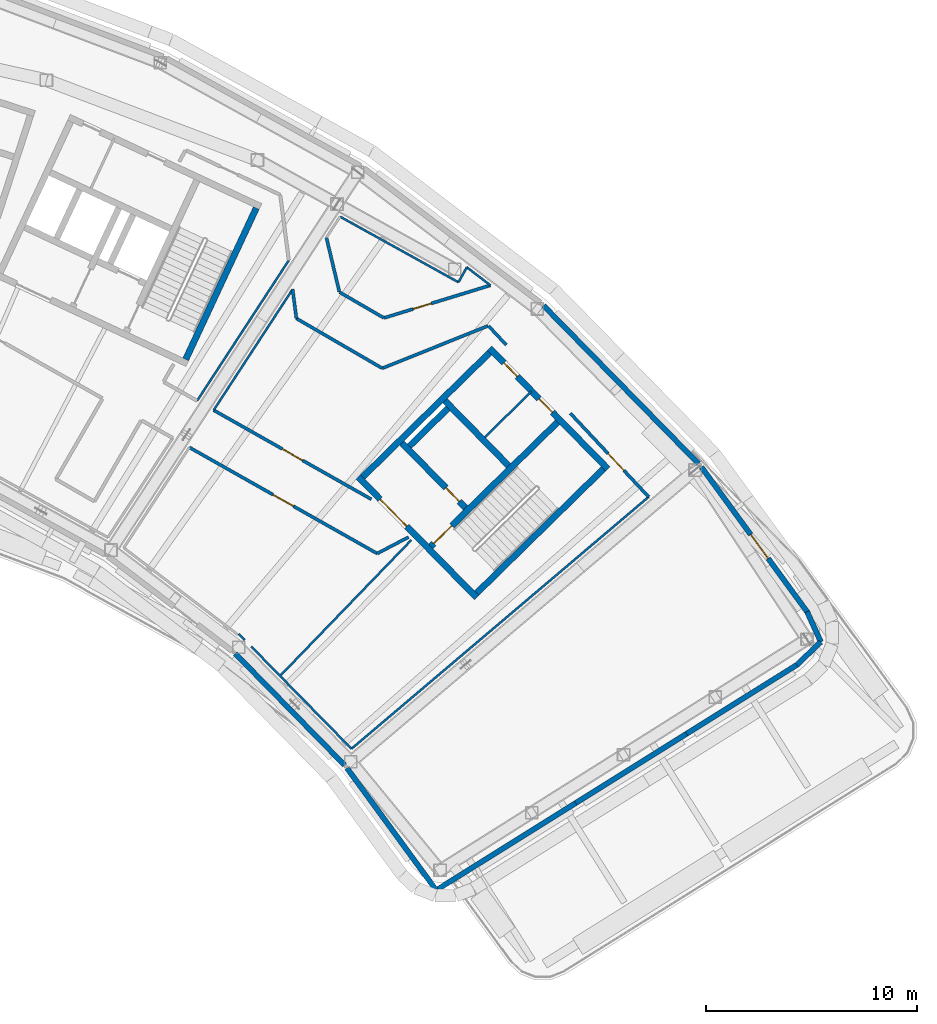
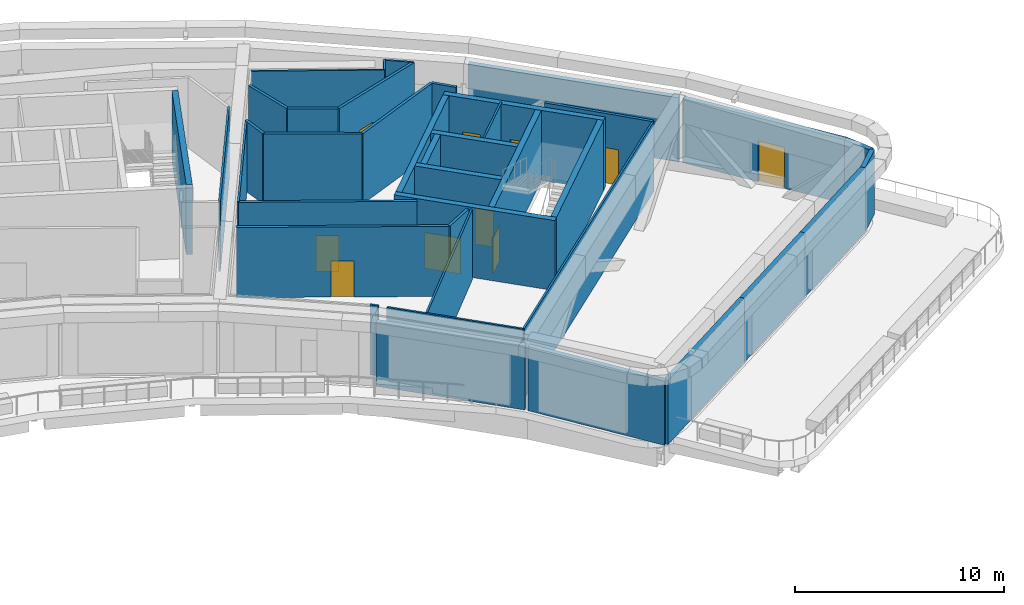
# One storey, part 10 of 24: 39 walls, 10 doors, 10 openings.
"""IFC4 building model written with IfcOpenShell, lengths in metres."""

from ifc_helpers import new_model, si_unit, direction, frame, frame_2d, origin, place, context, subcontext, project, spatial, rectangle, extrude, material, layer, layer_set, type_object, element, fill, save


model = new_model("IFC4")

# Units and contexts
model_context = context("Model", 3, precision=1e-05, world=origin(), true_north=direction((0.0, 1.0)))
body_context = subcontext(model_context, "Body", "Model", "MODEL_VIEW")
ifc_project = project(units=[si_unit("LENGTHUNIT", "METRE"), si_unit("AREAUNIT", "SQUARE_METRE"), si_unit("VOLUMEUNIT", "CUBIC_METRE"), si_unit("PLANEANGLEUNIT", "RADIAN"), si_unit("MASSUNIT", "GRAM", prefix="KILO")], contexts=[model_context])

# Site, building, storey
site_placement = place(None, origin())
site = spatial("IfcSite", under=ifc_project, at=site_placement, CompositionType="ELEMENT")
building_placement = place(site_placement, origin())
building = spatial("IfcBuilding", under=site, at=building_placement, Name="Tuul Gate Civic Tower", CompositionType="ELEMENT")
storey_placement = place(building_placement, frame((0.0, 0.0, 315.199951171875)))
storey = spatial("IfcBuildingStorey", under=building, at=storey_placement, Name="Plant and refuge floor 7", CompositionType="ELEMENT", Elevation=315.199951171875)

# Wall, opening, door
ifc_material_1 = material(Name="Concrete C50/60", Category="concrete")
ifc_layer_1 = layer(ifc_material_1, 0.300048828125)
ifc_layer_set_1 = layer_set([ifc_layer_1], Name="Concrete C50/60")
wall_type_1 = type_object("IfcWallType", Name="Core wall C50/60", PredefinedType="SHEAR", material=ifc_layer_set_1)
wall_1_placement = place(storey_placement, frame((48.22509765625, -18.327880859375, 0.0), z_axis=(0.0, 0.0, 1.0), x_axis=(-0.700021979774, 0.714121297703, 0.0)))
wall_1 = element("IfcWall", 1, at=wall_1_placement, inside=storey, type_object=wall_type_1, Name="Core wall", PredefinedType="SHEAR", context=body_context, shape_type="SweptSolid", body=[
    extrude(rectangle(XDim=8.0, YDim=0.300048828125, at=frame_2d((4.0, 0.0))), origin(), (0.0, 0.0, 1.0), 4.10009765625),
])
opening_1_placement = place(wall_1_placement, frame((4.72509765625, 0.0, 0.0)))
opening_1 = element("IfcOpeningElement", 2, at=opening_1_placement, cuts=wall_1, Name="Opening LB-E1-LOBBY-1", PredefinedType="OPENING", context=body_context, shape_type="SweptSolid", body=[
    extrude(rectangle(XDim=1.800048828125, YDim=2.10009765625, at=frame_2d((0.89990234375, 1.050048828125))), frame((0.0, 0.16015625, 0.0), z_axis=(0.0, -1.0, 0.0), x_axis=(1.0, 0.0, 0.0)), (0.0, 0.0, 1.0), 0.320068359375),
])
ifc_material_2 = material(Name="Steel", Category="steel")
door_type_1 = type_object("IfcDoorType", Name="Lobby door", OperationType="DOUBLE_DOOR_SINGLE_SWING", PredefinedType="DOOR", material=ifc_material_2)
door_1_placement = place(opening_1_placement, frame((1.800048828125, 0.0, 0.0), z_axis=(0.0, 0.0, 1.0), x_axis=(-1.0, 0.0, 0.0)))
door_1 = element("IfcDoor", 3, at=door_1_placement, inside=storey, type_object=door_type_1, Name="Lobby door E1-LOBBY", OperationType="DOUBLE_DOOR_SINGLE_SWING", OverallHeight=2.10009765625, OverallWidth=1.800048828125, PredefinedType="DOOR", context=body_context, shape_type="SweptSolid", body=[
    extrude(rectangle(XDim=1.800048828125, YDim=2.10009765625, at=frame_2d((0.900146484375, 1.050048828125))), frame((0.0, 0.02490234375, 0.0), z_axis=(0.0, -1.0, 0.0), x_axis=(1.0, 0.0, 0.0)), (0.0, 0.0, 1.0), 0.050048828125),
])
fill(opening_1, door_1)

wall_2_placement = place(storey_placement, frame((47.701904296875, -14.079833984375, 0.0), z_axis=(0.0, 0.0, 1.0), x_axis=(-0.700002721075, 0.714140175657, 0.0)))
wall_2 = element("IfcWall", 4, at=wall_2_placement, inside=storey, type_object=wall_type_1, Name="Core wall", PredefinedType="SHEAR", context=body_context, shape_type="SweptSolid", body=[
    extrude(rectangle(XDim=4.300048828125, YDim=0.300048828125, at=frame_2d((2.14990234375, 0.0))), origin(), (0.0, 0.0, 1.0), 4.10009765625),
])
opening_2_placement = place(wall_2_placement, frame((0.425048828125, 0.0, 0.0)))
opening_2 = element("IfcOpeningElement", 5, at=opening_2_placement, cuts=wall_2, Name="Opening FB-E1A1", PredefinedType="OPENING", context=body_context, shape_type="SweptSolid", body=[
    extrude(rectangle(XDim=0.89990234375, YDim=2.10009765625, at=frame_2d((0.449951171875, 1.050048828125))), frame((0.0, 0.16015625, 0.0), z_axis=(0.0, -1.0, 0.0), x_axis=(1.0, 0.0, 0.0)), (0.0, 0.0, 1.0), 0.320068359375),
])
ifc_material_3 = material(Name="Steel", Category="steel")
door_type_2 = type_object("IfcDoorType", Name="Store door", OperationType="NOTDEFINED", PredefinedType="DOOR", material=ifc_material_3)
door_2_placement = place(opening_2_placement, frame((0.89990234375, 0.0, 0.0), z_axis=(0.0, 0.0, 1.0), x_axis=(-1.0, 0.0, 0.0)))
door_2 = element("IfcDoor", 6, at=door_2_placement, inside=storey, type_object=door_type_2, Name="Store door E1A1", OperationType="SINGLE_SWING_RIGHT", OverallHeight=2.10009765625, OverallWidth=0.89990234375, PredefinedType="DOOR", context=body_context, shape_type="SweptSolid", body=[
    extrude(rectangle(XDim=0.89990234375, YDim=2.10009765625, at=frame_2d((0.449951171875, 1.050048828125))), frame((0.0, 0.02490234375, 0.0), z_axis=(0.0, -1.0, 0.0), x_axis=(1.0, 0.0, 0.0)), (0.0, 0.0, 1.0), 0.050048828125),
])
fill(opening_2, door_2)

# Wall
wall_3_placement = place(storey_placement, frame((49.737060546875, -12.0849609375, 0.0), z_axis=(0.0, 0.0, 1.0), x_axis=(-0.700002721075, 0.714140175657, 0.0)))
element("IfcWall", 7, at=wall_3_placement, inside=storey, type_object=wall_type_1, Name="Core wall", PredefinedType="SHEAR", context=body_context, shape_type="SweptSolid", body=[
    extrude(rectangle(XDim=4.300048828125, YDim=0.300048828125, at=frame_2d((2.14990234375, 0.0))), origin(), (0.0, 0.0, 1.0), 4.10009765625),
])

# Wall, openings, doors
wall_4_placement = place(storey_placement, frame((54.43798828125, -12.23779296875, 0.0), z_axis=(0.0, 0.0, 1.0), x_axis=(-0.700021979774, 0.714121297703, 0.0)))
wall_4 = element("IfcWall", 8, at=wall_4_placement, inside=storey, type_object=wall_type_1, Name="Core wall", PredefinedType="SHEAR", context=body_context, shape_type="SweptSolid", body=[
    extrude(rectangle(XDim=8.0, YDim=0.300048828125, at=frame_2d((4.0, 0.0))), origin(), (0.0, 0.0, 1.0), 4.10009765625),
])
opening_3_placement = place(wall_4_placement, frame((3.75, 0.0, 0.0)))
opening_3 = element("IfcOpeningElement", 9, at=opening_3_placement, cuts=wall_4, Name="Opening PC-D24", PredefinedType="OPENING", context=body_context, shape_type="SweptSolid", body=[
    extrude(rectangle(XDim=0.89990234375, YDim=2.10009765625, at=frame_2d((0.449951171875, 1.050048828125))), frame((0.0, 0.16015625, 0.0), z_axis=(0.0, -1.0, 0.0), x_axis=(1.0, 0.0, 0.0)), (0.0, 0.0, 1.0), 0.320068359375),
])
opening_4_placement = place(wall_4_placement, frame((6.125, 0.0, 0.0)))
opening_4 = element("IfcOpeningElement", 10, at=opening_4_placement, cuts=wall_4, Name="Opening PC-D25", PredefinedType="OPENING", context=body_context, shape_type="SweptSolid", body=[
    extrude(rectangle(XDim=0.89990234375, YDim=2.10009765625, at=frame_2d((0.449951171875, 1.050048828125))), frame((0.0, 0.16015625, 0.0), z_axis=(0.0, -1.0, 0.0), x_axis=(1.0, 0.0, 0.0)), (0.0, 0.0, 1.0), 0.320068359375),
])
ifc_material_4 = material(Name="Timber door leaf", Category="wood")
door_type_3 = type_object("IfcDoorType", Name="Door D09", OperationType="NOTDEFINED", PredefinedType="DOOR", material=ifc_material_4)
door_3_placement = place(opening_3_placement, origin())
door_3 = element("IfcDoor", 11, at=door_3_placement, inside=storey, type_object=door_type_3, Name="Door PC-D24", OperationType="SINGLE_SWING_LEFT", OverallHeight=2.10009765625, OverallWidth=0.89990234375, PredefinedType="DOOR", context=body_context, shape_type="SweptSolid", body=[
    extrude(rectangle(XDim=0.89990234375, YDim=2.10009765625, at=frame_2d((0.449951171875, 1.050048828125))), frame((0.0, 0.02490234375, 0.0), z_axis=(0.0, -1.0, 0.0), x_axis=(1.0, 0.0, 0.0)), (0.0, 0.0, 1.0), 0.050048828125),
])
fill(opening_3, door_3)
door_4_placement = place(opening_4_placement, origin())
door_4 = element("IfcDoor", 12, at=door_4_placement, inside=storey, type_object=door_type_3, Name="Door PC-D25", OperationType="SINGLE_SWING_LEFT", OverallHeight=2.10009765625, OverallWidth=0.89990234375, PredefinedType="DOOR", context=body_context, shape_type="SweptSolid", body=[
    extrude(rectangle(XDim=0.89990234375, YDim=2.10009765625, at=frame_2d((0.449951171875, 1.050048828125))), frame((0.0, 0.02490234375, 0.0), z_axis=(0.0, -1.0, 0.0), x_axis=(1.0, 0.0, 0.0)), (0.0, 0.0, 1.0), 0.050048828125),
])
fill(opening_4, door_4)

# Wall
wall_5_placement = place(storey_placement, frame((48.227294921875, -18.115966796875, 0.0), z_axis=(0.0, 0.0, 1.0), x_axis=(0.714105315431, 0.700038283577, 0.0)))
element("IfcWall", 13, at=wall_5_placement, inside=storey, type_object=wall_type_1, Name="Core wall", PredefinedType="SHEAR", context=body_context, shape_type="SweptSolid", body=[
    extrude(rectangle(XDim=8.400146484375, YDim=0.300048828125, at=frame_2d((4.2001953125, 0.0))), origin(), (0.0, 0.0, 1.0), 4.10009765625),
])

# Wall, opening, door
wall_6_placement = place(storey_placement, frame((46.05712890625, -15.902099609375, 0.0), z_axis=(0.0, 0.0, 1.0), x_axis=(0.714134086973, 0.700008932674, 0.0)))
wall_6 = element("IfcWall", 14, at=wall_6_placement, inside=storey, type_object=wall_type_1, Name="Core wall", PredefinedType="SHEAR", context=body_context, shape_type="SweptSolid", body=[
    extrude(rectangle(XDim=8.400146484375, YDim=0.300048828125, at=frame_2d((4.2001953125, 0.0))), origin(), (0.0, 0.0, 1.0), 4.10009765625),
])
opening_5_placement = place(wall_6_placement, frame((0.199951171875, 0.0, 0.0)))
opening_5 = element("IfcOpeningElement", 15, at=opening_5_placement, cuts=wall_6, Name="Opening SD-ST-3", PredefinedType="OPENING", context=body_context, shape_type="SweptSolid", body=[
    extrude(rectangle(XDim=1.199951171875, YDim=2.10009765625, at=frame_2d((0.60009765625, 1.050048828125))), frame((0.0, 0.16015625, 0.0), z_axis=(0.0, -1.0, 0.0), x_axis=(1.0, 0.0, 0.0)), (0.0, 0.0, 1.0), 0.320068359375),
])
ifc_material_5 = material(Name="Steel", Category="steel")
door_type_4 = type_object("IfcDoorType", Name="Stair door", OperationType="NOTDEFINED", PredefinedType="DOOR", material=ifc_material_5)
door_5_placement = place(opening_5_placement, origin())
door_5 = element("IfcDoor", 16, at=door_5_placement, inside=storey, type_object=door_type_4, Name="Stair door ST-3", OperationType="SINGLE_SWING_LEFT", OverallHeight=2.10009765625, OverallWidth=1.199951171875, PredefinedType="DOOR", context=body_context, shape_type="SweptSolid", body=[
    extrude(rectangle(XDim=1.199951171875, YDim=2.10009765625, at=frame_2d((0.60009765625, 1.050048828125))), frame((0.0, 0.02490234375, 0.0), z_axis=(0.0, -1.0, 0.0), x_axis=(1.0, 0.0, 0.0)), (0.0, 0.0, 1.0), 0.050048828125),
])
fill(opening_5, door_5)

# Walls
wall_7_placement = place(storey_placement, frame((45.0439453125, -11.154052734375, 0.0), z_axis=(0.0, 0.0, 1.0), x_axis=(0.714108498262, 0.700035036773, 0.0)))
element("IfcWall", 17, at=wall_7_placement, inside=storey, type_object=wall_type_1, Name="Core wall", PredefinedType="SHEAR", context=body_context, shape_type="SweptSolid", body=[
    extrude(rectangle(XDim=2.550048828125, YDim=0.300048828125, at=frame_2d((1.27490234375, 0.0))), origin(), (0.0, 0.0, 1.0), 4.10009765625),
])
wall_8_placement = place(storey_placement, frame((42.837158203125, -12.616943359375, 0.0), z_axis=(0.0, 0.0, 1.0), x_axis=(0.714119844755, 0.700023461983, 0.0)))
element("IfcWall", 18, at=wall_8_placement, inside=storey, type_object=wall_type_1, Name="Core wall", PredefinedType="SHEAR", context=body_context, shape_type="SweptSolid", body=[
    extrude(rectangle(XDim=8.39990234375, YDim=0.300048828125, at=frame_2d((4.199951171875, 0.0))), origin(), (0.0, 0.0, 1.0), 4.10009765625),
])
wall_9_placement = place(storey_placement, frame((34.455810546875, -7.05078125, 0.0), z_axis=(0.0, 0.0, 1.0), x_axis=(0.422570768258, 0.906329932096, 0.0)))
element("IfcWall", 19, at=wall_9_placement, inside=storey, type_object=wall_type_1, Name="Core wall", PredefinedType="SHEAR", context=body_context, shape_type="SweptSolid", body=[
    extrude(rectangle(XDim=7.900146484375, YDim=0.300048828125, at=frame_2d((3.9501953125, 0.0))), origin(), (0.0, 0.0, 1.0), 4.10009765625),
])
ifc_material_6 = material(Name="Gypsum board partition")
ifc_layer_2 = layer(ifc_material_6, 0.14990234375)
ifc_layer_set_2 = layer_set([ifc_layer_2], Name="Gypsum board partition")
wall_type_2 = type_object("IfcWallType", Name="Corridor wall P150", PredefinedType="PARTITIONING", material=ifc_layer_set_2)
wall_10_placement = place(storey_placement, frame((41.73828125, -3.873046875, 0.0), z_axis=(0.0, 0.0, 1.0), x_axis=(0.86489357681, -0.501955277682, 0.0)))
element("IfcWall", 20, at=wall_10_placement, inside=storey, type_object=wall_type_2, Name="p001", PredefinedType="PARTITIONING", context=body_context, shape_type="SweptSolid", body=[
    extrude(rectangle(XDim=2.418212890625, YDim=0.14990234375, at=frame_2d((1.208984375, 0.0))), origin(), (0.0, 0.0, 1.0), 4.10009765625),
])
wall_11_placement = place(storey_placement, frame((41.114013671875, -1.284912109375, 0.0), z_axis=(0.0, 0.0, 1.0), x_axis=(0.232260360871, -0.972653650982, 0.0)))
element("IfcWall", 21, at=wall_11_placement, inside=storey, type_object=wall_type_2, Name="p002", PredefinedType="PARTITIONING", context=body_context, shape_type="SweptSolid", body=[
    extrude(rectangle(XDim=2.64794921875, YDim=0.14990234375, at=frame_2d((1.323974609375, 0.0))), origin(), (0.0, 0.0, 1.0), 4.10009765625),
])

# Wall, opening, door
wall_12_placement = place(storey_placement, frame((43.845703125, -5.088623046875, 0.0), z_axis=(0.0, 0.0, 1.0), x_axis=(0.956070325774, 0.293137394704, 0.0)))
wall_12 = element("IfcWall", 22, at=wall_12_placement, inside=storey, type_object=wall_type_2, Name="p003", PredefinedType="PARTITIONING", context=body_context, shape_type="SweptSolid", body=[
    extrude(rectangle(XDim=5.264404296875, YDim=0.14990234375, at=frame_2d((2.63232421875, 0.0))), origin(), (0.0, 0.0, 1.0), 4.10009765625),
])
opening_6_placement = place(wall_12_placement, frame((1.431884765625, 0.0, 0.0)))
opening_6 = element("IfcOpeningElement", 23, at=opening_6_placement, cuts=wall_12, Name="Opening PC-D01", PredefinedType="OPENING", context=body_context, shape_type="SweptSolid", body=[
    extrude(rectangle(XDim=0.89990234375, YDim=2.10009765625, at=frame_2d((0.449951171875, 1.050048828125))), frame((0.0, 0.0849609375, 0.0), z_axis=(0.0, -1.0, 0.0), x_axis=(1.0, 0.0, 0.0)), (0.0, 0.0, 1.0), 0.169921875),
])
door_6_placement = place(opening_6_placement, origin())
door_6 = element("IfcDoor", 24, at=door_6_placement, inside=storey, type_object=door_type_3, Name="Door PC-D01", OperationType="SINGLE_SWING_RIGHT", OverallHeight=2.10009765625, OverallWidth=0.89990234375, PredefinedType="DOOR", context=body_context, shape_type="SweptSolid", body=[
    extrude(rectangle(XDim=0.89990234375, YDim=2.10009765625, at=frame_2d((0.449951171875, 1.050048828125))), frame((0.0, 0.02490234375, 0.0), z_axis=(0.0, -1.0, 0.0), x_axis=(1.0, 0.0, 0.0)), (0.0, 0.0, 1.0), 0.050048828125),
])
fill(opening_6, door_6)

# Wall
wall_13_placement = place(storey_placement, frame((39.51416015625, -3.735107421875, 0.0), z_axis=(0.0, 0.0, 1.0), x_axis=(0.129519249196, -0.991576907803, 0.0)))
element("IfcWall", 25, at=wall_13_placement, inside=storey, type_object=wall_type_2, Name="p009", PredefinedType="PARTITIONING", context=body_context, shape_type="SweptSolid", body=[
    extrude(rectangle(XDim=1.39111328125, YDim=0.14990234375, at=frame_2d((0.695556640625, 0.0))), origin(), (0.0, 0.0, 1.0), 4.10009765625),
])

# Wall, opening, door
wall_14_placement = place(storey_placement, frame((35.778564453125, -9.456298828125, 0.0), z_axis=(0.0, 0.0, 1.0), x_axis=(0.870655126509, -0.491893942515, 0.0)))
wall_14 = element("IfcWall", 26, at=wall_14_placement, inside=storey, type_object=wall_type_2, Name="p012", PredefinedType="PARTITIONING", context=body_context, shape_type="SweptSolid", body=[
    extrude(rectangle(XDim=8.571533203125, YDim=0.14990234375, at=frame_2d((4.28564453125, 0.0))), origin(), (0.0, 0.0, 1.0), 4.10009765625),
])
opening_7_placement = place(wall_14_placement, frame((3.735595703125, 0.0, 0.0)))
opening_7 = element("IfcOpeningElement", 27, at=opening_7_placement, cuts=wall_14, Name="Opening PC-D07", PredefinedType="OPENING", context=body_context, shape_type="SweptSolid", body=[
    extrude(rectangle(XDim=1.10009765625, YDim=2.10009765625, at=frame_2d((0.550048828125, 1.050048828125))), frame((0.0, 0.0849609375, 0.0), z_axis=(0.0, -1.0, 0.0), x_axis=(1.0, 0.0, 0.0)), (0.0, 0.0, 1.0), 0.169921875),
])
ifc_material_7 = material(Name="Timber door leaf", Category="wood")
door_type_5 = type_object("IfcDoorType", Name="Door D11", OperationType="NOTDEFINED", PredefinedType="DOOR", material=ifc_material_7)
door_7_placement = place(opening_7_placement, origin())
door_7 = element("IfcDoor", 28, at=door_7_placement, inside=storey, type_object=door_type_5, Name="Door PC-D07", OperationType="SINGLE_SWING_RIGHT", OverallHeight=2.10009765625, OverallWidth=1.10009765625, PredefinedType="DOOR", context=body_context, shape_type="SweptSolid", body=[
    extrude(rectangle(XDim=1.10009765625, YDim=2.10009765625, at=frame_2d((0.550048828125, 1.050048828125))), frame((0.0, 0.02490234375, 0.0), z_axis=(0.0, -1.0, 0.0), x_axis=(1.0, 0.0, 0.0)), (0.0, 0.0, 1.0), 0.050048828125),
])
fill(opening_7, door_7)

# Wall
wall_15_placement = place(storey_placement, frame((48.78759765625, -5.470703125, 0.0), z_axis=(0.0, 0.0, 1.0), x_axis=(0.683605782368, -0.729851446743, 0.0)))
element("IfcWall", 29, at=wall_15_placement, inside=storey, type_object=wall_type_2, Name="p027", PredefinedType="PARTITIONING", context=body_context, shape_type="SweptSolid", body=[
    extrude(rectangle(XDim=1.2353515625, YDim=0.14990234375, at=frame_2d((0.61767578125, 0.0))), origin(), (0.0, 0.0, 1.0), 4.10009765625),
])

# Wall, opening, door
wall_16_placement = place(storey_placement, frame((52.658447265625, -9.60205078125, 0.0), z_axis=(0.0, 0.0, 1.0), x_axis=(0.683732992525, -0.729732276203, 0.0)))
wall_16 = element("IfcWall", 30, at=wall_16_placement, inside=storey, type_object=wall_type_2, Name="p028", PredefinedType="PARTITIONING", context=body_context, shape_type="SweptSolid", body=[
    extrude(rectangle(XDim=5.42431640625, YDim=0.14990234375, at=frame_2d((2.712158203125, 0.0))), origin(), (0.0, 0.0, 1.0), 4.10009765625),
])
opening_8_placement = place(wall_16_placement, frame((2.612060546875, 0.0, 0.0)))
opening_8 = element("IfcOpeningElement", 31, at=opening_8_placement, cuts=wall_16, Name="Opening PC-D05", PredefinedType="OPENING", context=body_context, shape_type="SweptSolid", body=[
    extrude(rectangle(XDim=1.10009765625, YDim=2.10009765625, at=frame_2d((0.550048828125, 1.050048828125))), frame((0.0, 0.0849609375, 0.0), z_axis=(0.0, -1.0, 0.0), x_axis=(1.0, 0.0, 0.0)), (0.0, 0.0, 1.0), 0.169921875),
])
door_8_placement = place(opening_8_placement, origin())
door_8 = element("IfcDoor", 32, at=door_8_placement, inside=storey, type_object=door_type_5, Name="Door PC-D05", OperationType="SINGLE_SWING_RIGHT", OverallHeight=2.10009765625, OverallWidth=1.10009765625, PredefinedType="DOOR", context=body_context, shape_type="SweptSolid", body=[
    extrude(rectangle(XDim=1.10009765625, YDim=2.10009765625, at=frame_2d((0.550048828125, 1.050048828125))), frame((0.0, 0.02490234375, 0.0), z_axis=(0.0, -1.0, 0.0), x_axis=(1.0, 0.0, 0.0)), (0.0, 0.0, 1.0), 0.050048828125),
])
fill(opening_8, door_8)

# Wall
wall_17_placement = place(storey_placement, frame((43.519775390625, -16.2412109375, 0.0), z_axis=(0.0, 0.0, 1.0), x_axis=(0.885573846132, 0.464498614687, 0.0)))
element("IfcWall", 33, at=wall_17_placement, inside=storey, type_object=wall_type_2, Name="p029", PredefinedType="PARTITIONING", context=body_context, shape_type="SweptSolid", body=[
    extrude(rectangle(XDim=1.669921875, YDim=0.14990234375, at=frame_2d((0.8349609375, 0.0))), origin(), (0.0, 0.0, 1.0), 4.10009765625),
])

# Wall, opening, door
wall_18_placement = place(storey_placement, frame((34.628173828125, -11.218505859375, 0.0), z_axis=(0.0, 0.0, 1.0), x_axis=(0.870670576707, -0.491866594574, 0.0)))
wall_18 = element("IfcWall", 34, at=wall_18_placement, inside=storey, type_object=wall_type_2, Name="p033", PredefinedType="PARTITIONING", context=body_context, shape_type="SweptSolid", body=[
    extrude(rectangle(XDim=10.21142578125, YDim=0.14990234375, at=frame_2d((5.105712890625, 0.0))), origin(), (0.0, 0.0, 1.0), 4.10009765625),
])
opening_9_placement = place(wall_18_placement, frame((4.555908203125, 0.0, 0.0)))
opening_9 = element("IfcOpeningElement", 35, at=opening_9_placement, cuts=wall_18, Name="Opening PC-D06", PredefinedType="OPENING", context=body_context, shape_type="SweptSolid", body=[
    extrude(rectangle(XDim=1.10009765625, YDim=2.10009765625, at=frame_2d((0.550048828125, 1.050048828125))), frame((0.0, 0.0849609375, 0.0), z_axis=(0.0, -1.0, 0.0), x_axis=(1.0, 0.0, 0.0)), (0.0, 0.0, 1.0), 0.169921875),
])
door_9_placement = place(opening_9_placement, frame((1.10009765625, 0.0, 0.0), z_axis=(0.0, 0.0, 1.0), x_axis=(-1.0, 0.0, 0.0)))
door_9 = element("IfcDoor", 36, at=door_9_placement, inside=storey, type_object=door_type_5, Name="Door PC-D06", OperationType="SINGLE_SWING_LEFT", OverallHeight=2.10009765625, OverallWidth=1.10009765625, PredefinedType="DOOR", context=body_context, shape_type="SweptSolid", body=[
    extrude(rectangle(XDim=1.10009765625, YDim=2.10009765625, at=frame_2d((0.550048828125, 1.050048828125))), frame((0.0, 0.02490234375, 0.0), z_axis=(0.0, -1.0, 0.0), x_axis=(1.0, 0.0, 0.0)), (0.0, 0.0, 1.0), 0.050048828125),
])
fill(opening_9, door_9)

# Walls
wall_19_placement = place(storey_placement, frame((39.69482421875, -5.114990234375, 0.0), z_axis=(0.0, 0.0, 1.0), x_axis=(0.864879175021, -0.501980091851, 0.0)))
element("IfcWall", 37, at=wall_19_placement, inside=storey, type_object=wall_type_2, Name="p034", PredefinedType="PARTITIONING", context=body_context, shape_type="SweptSolid", body=[
    extrude(rectangle(XDim=4.69921875, YDim=0.14990234375, at=frame_2d((2.349609375, 0.0))), origin(), (0.0, 0.0, 1.0), 4.10009765625),
])
wall_20_placement = place(storey_placement, frame((43.760009765625, -7.47412109375, 0.0), z_axis=(0.0, 0.0, 1.0), x_axis=(0.928082807514, 0.372373874481, 0.0)))
element("IfcWall", 38, at=wall_20_placement, inside=storey, type_object=wall_type_2, Name="p035", PredefinedType="PARTITIONING", context=body_context, shape_type="SweptSolid", body=[
    extrude(rectangle(XDim=5.393310546875, YDim=0.14990234375, at=frame_2d((2.69677734375, 0.0))), origin(), (0.0, 0.0, 1.0), 4.10009765625),
])
ifc_material_8 = material(Name="Precast concrete C40/50", Category="concrete")
ifc_layer_3 = layer(ifc_material_8, 0.25)
ifc_layer_set_3 = layer_set([ifc_layer_3], Name="Precast concrete C40/50")
wall_type_3 = type_object("IfcWallType", Name="External wall", PredefinedType="STANDARD", material=ifc_layer_set_3)
wall_21_placement = place(storey_placement, frame((63.382568359375, -21.513671875, 0.0), z_axis=(0.0, 0.0, 1.0), x_axis=(0.722162740816, 0.691723193031, 0.0)))
element("IfcWall", 39, at=wall_21_placement, inside=storey, type_object=wall_type_3, Name="External wall", PredefinedType="STANDARD", context=body_context, shape_type="SweptSolid", body=[
    extrude(rectangle(XDim=1.572021484375, YDim=0.25, at=frame_2d((0.7861328125, 0.0))), origin(), (0.0, 0.0, 1.0), 3.75),
])
wall_22_placement = place(storey_placement, frame((64.517822265625, -20.42626953125, 0.0), z_axis=(0.0, 0.0, 1.0), x_axis=(-0.413463423134, 0.910520728886, 0.0)))
element("IfcWall", 40, at=wall_22_placement, inside=storey, type_object=wall_type_3, Name="External wall", PredefinedType="STANDARD", context=body_context, shape_type="SweptSolid", body=[
    extrude(rectangle(XDim=1.5712890625, YDim=0.25, at=frame_2d((0.78564453125, 0.0))), origin(), (0.0, 0.0, 1.0), 3.75),
])

# Wall, opening, door
wall_23_placement = place(storey_placement, frame((63.881103515625, -19.017822265625, 0.0), z_axis=(0.0, 0.0, 1.0), x_axis=(-0.589757523793, 0.807580375647, 0.0)))
wall_23 = element("IfcWall", 41, at=wall_23_placement, inside=storey, type_object=wall_type_3, Name="External wall", PredefinedType="STANDARD", context=body_context, shape_type="SweptSolid", body=[
    extrude(rectangle(XDim=8.507080078125, YDim=0.25, at=frame_2d((4.25341796875, 0.0))), origin(), (0.0, 0.0, 1.0), 3.75),
])
opening_10_placement = place(wall_23_placement, frame((3.14990234375, 0.0, 0.0)))
opening_10 = element("IfcOpeningElement", 42, at=opening_10_placement, cuts=wall_23, Name="Opening TD", PredefinedType="OPENING", context=body_context, shape_type="SweptSolid", body=[
    extrude(rectangle(XDim=1.39990234375, YDim=2.39990234375, at=frame_2d((0.699951171875, 1.199951171875))), frame((0.0, 0.135009765625, 0.0), z_axis=(0.0, -1.0, 0.0), x_axis=(1.0, 0.0, 0.0)), (0.0, 0.0, 1.0), 0.27001953125),
])
ifc_material_9 = material(Name="Glazed aluminium", Category="aluminium")
door_type_6 = type_object("IfcDoorType", Name="Terrace door", OperationType="DOUBLE_DOOR_SINGLE_SWING", PredefinedType="DOOR", material=ifc_material_9)
door_10_placement = place(opening_10_placement, origin())
door_10 = element("IfcDoor", 43, at=door_10_placement, inside=storey, type_object=door_type_6, Name="Terrace door", OperationType="DOUBLE_DOOR_SINGLE_SWING", OverallHeight=2.39990234375, OverallWidth=1.39990234375, PredefinedType="DOOR", context=body_context, shape_type="SweptSolid", body=[
    extrude(rectangle(XDim=1.39990234375, YDim=2.39990234375, at=frame_2d((0.699951171875, 1.199951171875))), frame((0.0, 0.02490234375, 0.0), z_axis=(0.0, -1.0, 0.0), x_axis=(1.0, 0.0, 0.0)), (0.0, 0.0, 1.0), 0.050048828125),
])
fill(opening_10, door_10)

# Walls
wall_24_placement = place(storey_placement, frame((58.72509765625, -11.988037109375, 0.0), z_axis=(0.0, 0.0, 1.0), x_axis=(-0.700046950366, 0.714096819265, 0.0)))
element("IfcWall", 44, at=wall_24_placement, inside=storey, type_object=wall_type_3, Name="External wall", PredefinedType="STANDARD", context=body_context, shape_type="SweptSolid", body=[
    extrude(rectangle(XDim=10.478271484375, YDim=0.25, at=frame_2d((5.2392578125, 0.0))), origin(), (0.0, 0.0, 1.0), 3.75),
])
wall_25_placement = place(storey_placement, frame((36.796875, -20.97509765625, 0.0), z_axis=(0.0, 0.0, 1.0), x_axis=(0.700088248381, -0.714056331446, 0.0)))
element("IfcWall", 45, at=wall_25_placement, inside=storey, type_object=wall_type_3, Name="External wall", PredefinedType="STANDARD", context=body_context, shape_type="SweptSolid", body=[
    extrude(rectangle(XDim=7.393310546875, YDim=0.25, at=frame_2d((3.69677734375, 0.0))), origin(), (0.0, 0.0, 1.0), 3.75),
])
wall_26_placement = place(storey_placement, frame((42.09033203125, -26.39697265625, 0.0), z_axis=(0.0, 0.0, 1.0), x_axis=(0.589740329834, -0.807592931722, 0.0)))
element("IfcWall", 46, at=wall_26_placement, inside=storey, type_object=wall_type_3, Name="External wall", PredefinedType="STANDARD", context=body_context, shape_type="SweptSolid", body=[
    extrude(rectangle(XDim=7.15771484375, YDim=0.25, at=frame_2d((3.578857421875, 0.0))), origin(), (0.0, 0.0, 1.0), 3.75),
])
wall_27_placement = place(storey_placement, frame((46.3115234375, -32.177490234375, 0.0), z_axis=(0.0, 0.0, 1.0), x_axis=(0.848061701049, 0.529897491233, 0.0)))
element("IfcWall", 47, at=wall_27_placement, inside=storey, type_object=wall_type_3, Name="External wall", PredefinedType="STANDARD", context=body_context, shape_type="SweptSolid", body=[
    extrude(rectangle(XDim=7.787841796875, YDim=0.25, at=frame_2d((3.89404296875, 0.0))), origin(), (0.0, 0.0, 1.0), 3.75),
])
for number, where, z_axis, x_axis, name in (
    (48, (52.916015625, -28.05078125, 0.0), (0.0, 0.0, 1.0), (0.848053758074, 0.529910203164, 0.0), "External wall"),
    (49, (58.159423828125, -24.7744140625, 0.0), (0.0, 0.0, 1.0), (0.848053758074, 0.529910203164, 0.0), "External wall"),
):
    element("IfcWall", number, at=place(storey_placement, frame(where, z_axis=z_axis, x_axis=x_axis)), inside=storey, type_object=wall_type_3, Name=name, PredefinedType="STANDARD", context=body_context, shape_type="SweptSolid", body=[
        extrude(rectangle(XDim=6.182861328125, YDim=0.25, at=frame_2d((3.09130859375, 0.0))), origin(), (0.0, 0.0, 1.0), 3.75),
    ])
ifc_material_10 = material(Name="Gypsum board partition")
ifc_layer_4 = layer(ifc_material_10, 0.10009765625)
ifc_layer_set_4 = layer_set([ifc_layer_4], Name="Gypsum board partition")
wall_type_4 = type_object("IfcWallType", Name="Partition P100", PredefinedType="PARTITIONING", material=ifc_layer_set_4)
wall_28_placement = place(storey_placement, frame((38.92236328125, -22.035400390625, 0.0), z_axis=(0.0, 0.0, 1.0), x_axis=(0.694644211995, 0.719353472739, 0.0)))
element("IfcWall", 50, at=wall_28_placement, inside=storey, type_object=wall_type_4, Name="p026", PredefinedType="PARTITIONING", context=body_context, shape_type="SweptSolid", body=[
    extrude(rectangle(XDim=8.94189453125, YDim=0.10009765625, at=frame_2d((4.470947265625, 0.0))), origin(), (0.0, 0.0, 1.0), 4.10009765625),
])
wall_29_placement = place(storey_placement, frame((41.760009765625, -0.29541015625, 0.0), z_axis=(0.0, 0.0, 1.0), x_axis=(0.874654477326, -0.484746887865, 0.0)))
element("IfcWall", 51, at=wall_29_placement, inside=storey, type_object=wall_type_4, Name="p072", PredefinedType="PARTITIONING", context=body_context, shape_type="SweptSolid", body=[
    extrude(rectangle(XDim=6.409912109375, YDim=0.10009765625, at=frame_2d((3.205078125, 0.0))), origin(), (0.0, 0.0, 1.0), 4.10009765625),
])
wall_30_placement = place(storey_placement, frame((47.366455078125, -3.402587890625, 0.0), z_axis=(0.0, 0.0, 1.0), x_axis=(0.484850575782, 0.874597003862, 0.0)))
element("IfcWall", 52, at=wall_30_placement, inside=storey, type_object=wall_type_4, Name="p073", PredefinedType="PARTITIONING", context=body_context, shape_type="SweptSolid", body=[
    extrude(rectangle(XDim=0.811279296875, YDim=0.10009765625, at=frame_2d((0.40576171875, 0.0))), origin(), (0.0, 0.0, 1.0), 4.10009765625),
])
wall_31_placement = place(storey_placement, frame((47.759765625, -2.693115234375, 0.0), z_axis=(0.0, 0.0, 1.0), x_axis=(0.795563172691, -0.605870644822, 0.0)))
element("IfcWall", 53, at=wall_31_placement, inside=storey, type_object=wall_type_4, Name="p074", PredefinedType="PARTITIONING", context=body_context, shape_type="SweptSolid", body=[
    extrude(rectangle(XDim=1.40673828125, YDim=0.10009765625, at=frame_2d((0.703369140625, 0.0))), origin(), (0.0, 0.0, 1.0), 4.10009765625),
])
wall_32_placement = place(storey_placement, frame((39.3349609375, -2.36328125, 0.0), z_axis=(0.0, 0.0, 1.0), x_axis=(-0.546707529679, -0.837323639337, 0.0)))
element("IfcWall", 54, at=wall_32_placement, inside=storey, type_object=wall_type_4, Name="p075", PredefinedType="PARTITIONING", context=body_context, shape_type="SweptSolid", body=[
    extrude(rectangle(XDim=7.941162109375, YDim=0.10009765625, at=frame_2d((3.970703125, 0.0))), origin(), (0.0, 0.0, 1.0), 4.10009765625),
])
wall_33_placement = place(storey_placement, frame((56.3671875, -13.560302734375, 0.0), z_axis=(0.0, 0.0, 1.0), x_axis=(-0.762827522986, -0.646602018382, 0.0)))
element("IfcWall", 55, at=wall_33_placement, inside=storey, type_object=wall_type_4, Name="p077", PredefinedType="PARTITIONING", context=body_context, shape_type="SweptSolid", body=[
    extrude(rectangle(XDim=18.43896484375, YDim=0.10009765625, at=frame_2d((9.219482421875, 0.0))), origin(), (0.0, 0.0, 1.0), 4.10009765625),
])
wall_34_placement = place(storey_placement, frame((42.301513671875, -25.48291015625, 0.0), z_axis=(0.0, 0.0, 1.0), x_axis=(-0.699981815522, 0.714160666754, 0.0)))
element("IfcWall", 56, at=wall_34_placement, inside=storey, type_object=wall_type_4, Name="p078", PredefinedType="PARTITIONING", context=body_context, shape_type="SweptSolid", body=[
    extrude(rectangle(XDim=6.7841796875, YDim=0.10009765625, at=frame_2d((3.39208984375, 0.0))), origin(), (0.0, 0.0, 1.0), 4.10009765625),
])
wall_35_placement = place(storey_placement, frame((37.257568359375, -20.336669921875, 0.0), z_axis=(0.0, 0.0, 1.0), x_axis=(-0.700053868945, 0.714090036743, 0.0)))
element("IfcWall", 57, at=wall_35_placement, inside=storey, type_object=wall_type_4, Name="p080", PredefinedType="PARTITIONING", context=body_context, shape_type="SweptSolid", body=[
    extrude(rectangle(XDim=0.41748046875, YDim=0.10009765625, at=frame_2d((0.208740234375, 0.0))), origin(), (0.0, 0.0, 1.0), 4.10009765625),
])
wall_36_placement = place(storey_placement, frame((35.778564453125, -9.456298828125, 0.0), z_axis=(0.0, 0.0, 1.0), x_axis=(0.546717844118, 0.837316904716, 0.0)))
element("IfcWall", 58, at=wall_36_placement, inside=storey, type_object=wall_type_4, Name="p083", PredefinedType="PARTITIONING", context=body_context, shape_type="SweptSolid", body=[
    extrude(rectangle(XDim=6.832763671875, YDim=0.10009765625, at=frame_2d((3.41650390625, 0.0))), origin(), (0.0, 0.0, 1.0), 4.10009765625),
])
wall_37_placement = place(storey_placement, frame((48.619140625, -10.72998046875, 0.0), z_axis=(0.0, 0.0, 1.0), x_axis=(0.714159293908, 0.699983216173, 0.0)))
element("IfcWall", 59, at=wall_37_placement, inside=storey, type_object=wall_type_4, Name="bE1-BAND-0", PredefinedType="PARTITIONING", context=body_context, shape_type="SweptSolid", body=[
    extrude(rectangle(XDim=3.099853515625, YDim=0.10009765625, at=frame_2d((1.5498046875, 0.0))), origin(), (0.0, 0.0, 1.0), 4.10009765625),
])

save(model, "model.ifc")
